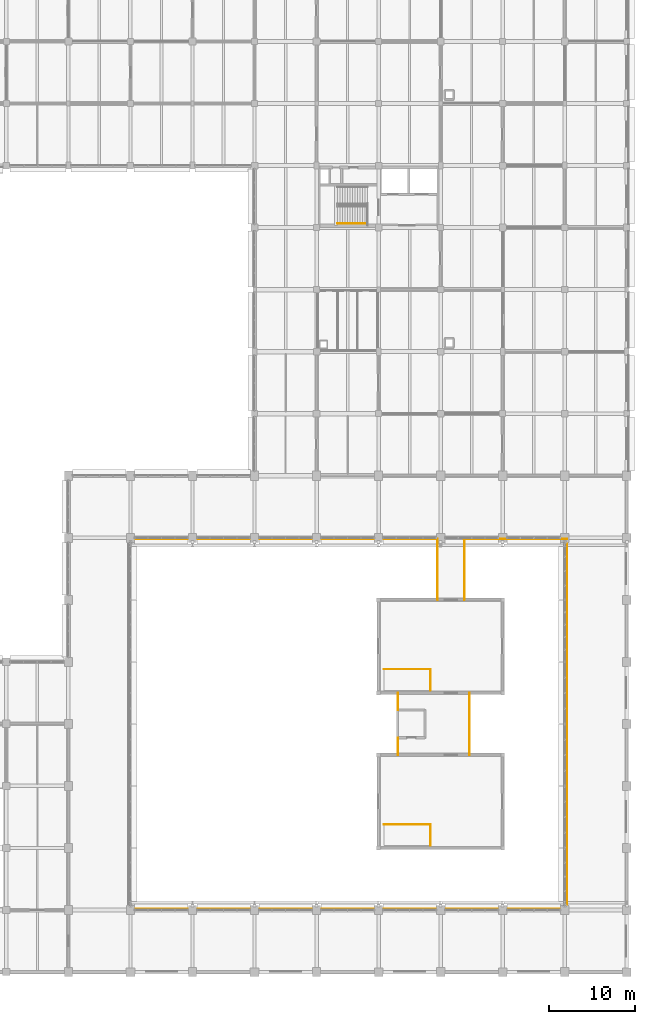
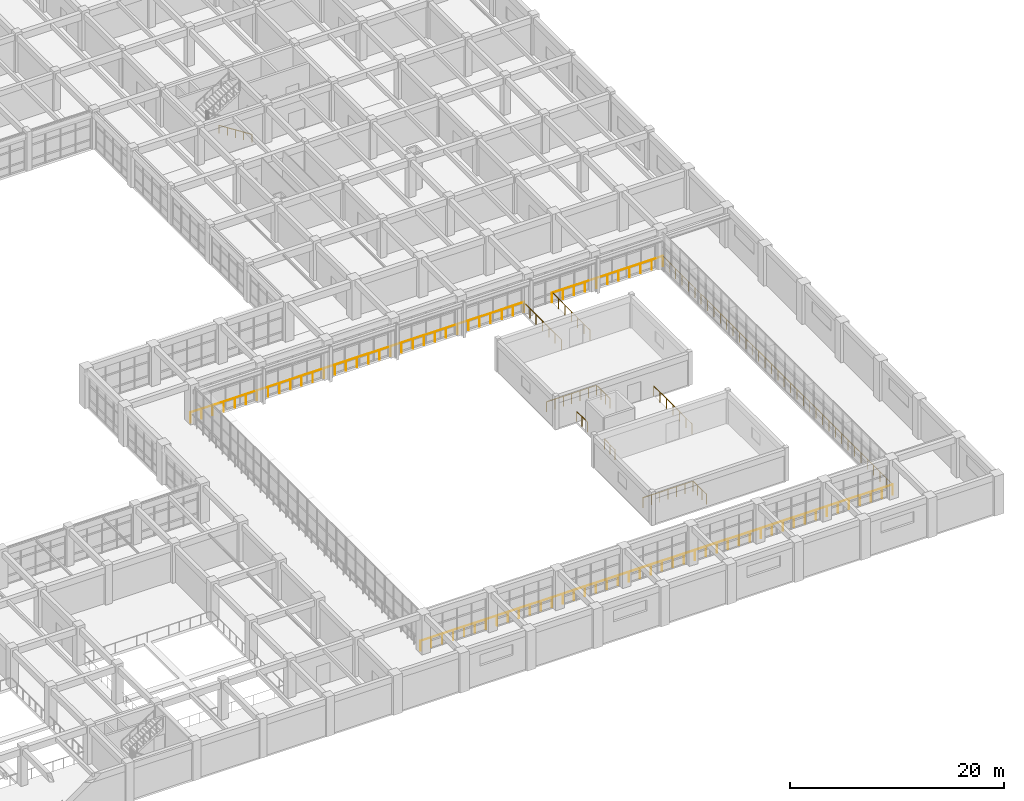
# One storey, part 170 of 171: 12 railings.
"""IFC4 building model written with IfcOpenShell, lengths in metres."""

from ifc_helpers import new_model, si_unit, direction, frame, origin, origin_2d, place, context, subcontext, project, spatial, circle, extrude, material, type_object, element, save


model = new_model("IFC4")

# Units and contexts
model_context = context("Model", 3, precision=1e-05, world=origin(), true_north=direction((0.0, 1.0)))
body_context = subcontext(model_context, "Body", "Model", "MODEL_VIEW")
ifc_project = project(units=[si_unit("LENGTHUNIT", "METRE"), si_unit("AREAUNIT", "SQUARE_METRE"), si_unit("VOLUMEUNIT", "CUBIC_METRE"), si_unit("PLANEANGLEUNIT", "RADIAN"), si_unit("MASSUNIT", "GRAM", prefix="KILO")], contexts=[model_context])

# Site, building, storey
site_placement = place(None, origin())
site = spatial("IfcSite", under=ifc_project, at=site_placement, CompositionType="ELEMENT")
building_placement = place(site_placement, origin())
building = spatial("IfcBuilding", under=site, at=building_placement, Name="Thalmaran Polytechnic", CompositionType="ELEMENT")
storey_placement = place(building_placement, frame((0.0, 0.0, 5.39990234375)))
storey = spatial("IfcBuildingStorey", under=building, at=storey_placement, Name="L01", CompositionType="ELEMENT", Elevation=5.39990234375)

# Railings
ifc_material = material(Name="Stainless steel 316", Category="steel")
railing_type_1 = type_object("IfcRailingType", Name="RL-GR01", PredefinedType="GUARDRAIL", material=ifc_material)
for number, where, name in (
    (1, (144.60009765625, 17.139892578125, 0.0), "POD2 Mezzanine Opening Guard"),
    (2, (144.60009765625, 35.139892578125, 0.0), "POD4 Mezzanine Opening Guard"),
):
    element("IfcRailing", number, at=place(storey_placement, frame(where)), inside=storey, type_object=railing_type_1, Name=name, PredefinedType="GUARDRAIL", context=body_context, shape_type="SweptSolid", body=[
        extrude(circle(Radius=0.02392578125, at=origin_2d()), frame((0.0, 0.0, 1.1259765625), z_axis=(1.0, 0.0, 0.0), x_axis=(0.0, 1.0, 0.0)), (0.0, 0.0, 1.0), 5.39990234375),
        extrude(circle(Radius=0.02392578125, at=origin_2d()), frame((5.39990234375, 0.0, 1.1259765625), z_axis=(0.0, -1.0, 0.0), x_axis=(1.0, 0.0, 0.0)), (0.0, 0.0, 1.0), 2.4599609375),
        extrude(circle(Radius=0.02099609375, at=origin_2d()), origin(), (0.0, 0.0, 1.0), 1.101806640625),
        extrude(circle(Radius=0.02099609375, at=origin_2d()), frame((0.89990234375, 0.0, 0.0)), (0.0, 0.0, 1.0), 1.101806640625),
        extrude(circle(Radius=0.02099609375, at=origin_2d()), frame((1.800048828125, 0.0, 0.0)), (0.0, 0.0, 1.0), 1.101806640625),
        extrude(circle(Radius=0.02099609375, at=origin_2d()), frame((2.699951171875, 0.0, 0.0)), (0.0, 0.0, 1.0), 1.101806640625),
        extrude(circle(Radius=0.02099609375, at=origin_2d()), frame((3.599853515625, 0.0, 0.0)), (0.0, 0.0, 1.0), 1.101806640625),
        extrude(circle(Radius=0.02099609375, at=origin_2d()), frame((4.5, 0.0, 0.0)), (0.0, 0.0, 1.0), 1.101806640625),
        extrude(circle(Radius=0.02099609375, at=origin_2d()), frame((5.39990234375, 0.0, 0.0)), (0.0, 0.0, 1.0), 1.101806640625),
        extrude(circle(Radius=0.02099609375, at=origin_2d()), frame((5.39990234375, -0.820068359375, 0.0)), (0.0, 0.0, 1.0), 1.101806640625),
        extrude(circle(Radius=0.02099609375, at=origin_2d()), frame((5.39990234375, -1.639892578125, 0.0)), (0.0, 0.0, 1.0), 1.101806640625),
        extrude(circle(Radius=0.02099609375, at=origin_2d()), frame((5.39990234375, -2.4599609375, 0.0)), (0.0, 0.0, 1.0), 1.101806640625),
    ])
railing_1_placement = place(storey_placement, frame((114.949951171875, 7.35009765625, 0.0)))
element("IfcRailing", 3, at=railing_1_placement, inside=storey, type_object=railing_type_1, Name="Workshop South Gallery Guardrail", PredefinedType="GUARDRAIL", context=body_context, shape_type="SweptSolid", body=[
    extrude(circle(Radius=0.02392578125, at=origin_2d()), frame((0.0, 0.0, 1.1259765625), z_axis=(1.0, 0.0, 0.0), x_axis=(0.0, 1.0, 0.0)), (0.0, 0.0, 1.0), 50.900146484375),
    extrude(circle(Radius=0.02099609375, at=origin_2d()), origin(), (0.0, 0.0, 1.0), 1.101806640625),
    extrude(circle(Radius=0.02099609375, at=origin_2d()), frame((1.183837890625, 0.0, 0.0)), (0.0, 0.0, 1.0), 1.101806640625),
    extrude(circle(Radius=0.02099609375, at=origin_2d()), frame((2.367431640625, 0.0, 0.0)), (0.0, 0.0, 1.0), 1.101806640625),
    extrude(circle(Radius=0.02099609375, at=origin_2d()), frame((3.55126953125, 0.0, 0.0)), (0.0, 0.0, 1.0), 1.101806640625),
    extrude(circle(Radius=0.02099609375, at=origin_2d()), frame((4.73486328125, 0.0, 0.0)), (0.0, 0.0, 1.0), 1.101806640625),
    extrude(circle(Radius=0.02099609375, at=origin_2d()), frame((5.918701171875, 0.0, 0.0)), (0.0, 0.0, 1.0), 1.101806640625),
    extrude(circle(Radius=0.02099609375, at=origin_2d()), frame((7.102294921875, 0.0, 0.0)), (0.0, 0.0, 1.0), 1.101806640625),
    extrude(circle(Radius=0.02099609375, at=origin_2d()), frame((8.2861328125, 0.0, 0.0)), (0.0, 0.0, 1.0), 1.101806640625),
    extrude(circle(Radius=0.02099609375, at=origin_2d()), frame((9.4697265625, 0.0, 0.0)), (0.0, 0.0, 1.0), 1.101806640625),
    extrude(circle(Radius=0.02099609375, at=origin_2d()), frame((10.653564453125, 0.0, 0.0)), (0.0, 0.0, 1.0), 1.101806640625),
    extrude(circle(Radius=0.02099609375, at=origin_2d()), frame((11.837158203125, 0.0, 0.0)), (0.0, 0.0, 1.0), 1.101806640625),
    extrude(circle(Radius=0.02099609375, at=origin_2d()), frame((13.02099609375, 0.0, 0.0)), (0.0, 0.0, 1.0), 1.101806640625),
    extrude(circle(Radius=0.02099609375, at=origin_2d()), frame((14.20458984375, 0.0, 0.0)), (0.0, 0.0, 1.0), 1.101806640625),
    extrude(circle(Radius=0.02099609375, at=origin_2d()), frame((15.388427734375, 0.0, 0.0)), (0.0, 0.0, 1.0), 1.101806640625),
    extrude(circle(Radius=0.02099609375, at=origin_2d()), frame((16.572021484375, 0.0, 0.0)), (0.0, 0.0, 1.0), 1.101806640625),
    extrude(circle(Radius=0.02099609375, at=origin_2d()), frame((17.755859375, 0.0, 0.0)), (0.0, 0.0, 1.0), 1.101806640625),
    extrude(circle(Radius=0.02099609375, at=origin_2d()), frame((18.939697265625, 0.0, 0.0)), (0.0, 0.0, 1.0), 1.101806640625),
    extrude(circle(Radius=0.02099609375, at=origin_2d()), frame((20.123291015625, 0.0, 0.0)), (0.0, 0.0, 1.0), 1.101806640625),
    extrude(circle(Radius=0.02099609375, at=origin_2d()), frame((21.30712890625, 0.0, 0.0)), (0.0, 0.0, 1.0), 1.101806640625),
    extrude(circle(Radius=0.02099609375, at=origin_2d()), frame((22.49072265625, 0.0, 0.0)), (0.0, 0.0, 1.0), 1.101806640625),
    extrude(circle(Radius=0.02099609375, at=origin_2d()), frame((23.674560546875, 0.0, 0.0)), (0.0, 0.0, 1.0), 1.101806640625),
    extrude(circle(Radius=0.02099609375, at=origin_2d()), frame((24.858154296875, 0.0, 0.0)), (0.0, 0.0, 1.0), 1.101806640625),
    extrude(circle(Radius=0.02099609375, at=origin_2d()), frame((26.0419921875, 0.0, 0.0)), (0.0, 0.0, 1.0), 1.101806640625),
    extrude(circle(Radius=0.02099609375, at=origin_2d()), frame((27.2255859375, 0.0, 0.0)), (0.0, 0.0, 1.0), 1.101806640625),
    extrude(circle(Radius=0.02099609375, at=origin_2d()), frame((28.409423828125, 0.0, 0.0)), (0.0, 0.0, 1.0), 1.101806640625),
    extrude(circle(Radius=0.02099609375, at=origin_2d()), frame((29.593017578125, 0.0, 0.0)), (0.0, 0.0, 1.0), 1.101806640625),
    extrude(circle(Radius=0.02099609375, at=origin_2d()), frame((30.77685546875, 0.0, 0.0)), (0.0, 0.0, 1.0), 1.101806640625),
    extrude(circle(Radius=0.02099609375, at=origin_2d()), frame((31.96044921875, 0.0, 0.0)), (0.0, 0.0, 1.0), 1.101806640625),
    extrude(circle(Radius=0.02099609375, at=origin_2d()), frame((33.144287109375, 0.0, 0.0)), (0.0, 0.0, 1.0), 1.101806640625),
    extrude(circle(Radius=0.02099609375, at=origin_2d()), frame((34.328125, 0.0, 0.0)), (0.0, 0.0, 1.0), 1.101806640625),
    extrude(circle(Radius=0.02099609375, at=origin_2d()), frame((35.51171875, 0.0, 0.0)), (0.0, 0.0, 1.0), 1.101806640625),
    extrude(circle(Radius=0.02099609375, at=origin_2d()), frame((36.695556640625, 0.0, 0.0)), (0.0, 0.0, 1.0), 1.101806640625),
    extrude(circle(Radius=0.02099609375, at=origin_2d()), frame((37.879150390625, 0.0, 0.0)), (0.0, 0.0, 1.0), 1.101806640625),
    extrude(circle(Radius=0.02099609375, at=origin_2d()), frame((39.06298828125, 0.0, 0.0)), (0.0, 0.0, 1.0), 1.101806640625),
    extrude(circle(Radius=0.02099609375, at=origin_2d()), frame((40.24658203125, 0.0, 0.0)), (0.0, 0.0, 1.0), 1.101806640625),
    extrude(circle(Radius=0.02099609375, at=origin_2d()), frame((41.430419921875, 0.0, 0.0)), (0.0, 0.0, 1.0), 1.101806640625),
    extrude(circle(Radius=0.02099609375, at=origin_2d()), frame((42.614013671875, 0.0, 0.0)), (0.0, 0.0, 1.0), 1.101806640625),
    extrude(circle(Radius=0.02099609375, at=origin_2d()), frame((43.7978515625, 0.0, 0.0)), (0.0, 0.0, 1.0), 1.101806640625),
    extrude(circle(Radius=0.02099609375, at=origin_2d()), frame((44.9814453125, 0.0, 0.0)), (0.0, 0.0, 1.0), 1.101806640625),
    extrude(circle(Radius=0.02099609375, at=origin_2d()), frame((46.165283203125, 0.0, 0.0)), (0.0, 0.0, 1.0), 1.101806640625),
    extrude(circle(Radius=0.02099609375, at=origin_2d()), frame((47.348876953125, 0.0, 0.0)), (0.0, 0.0, 1.0), 1.101806640625),
    extrude(circle(Radius=0.02099609375, at=origin_2d()), frame((48.53271484375, 0.0, 0.0)), (0.0, 0.0, 1.0), 1.101806640625),
    extrude(circle(Radius=0.02099609375, at=origin_2d()), frame((49.71630859375, 0.0, 0.0)), (0.0, 0.0, 1.0), 1.101806640625),
    extrude(circle(Radius=0.02099609375, at=origin_2d()), frame((50.900146484375, 0.0, 0.0)), (0.0, 0.0, 1.0), 1.101806640625),
])
railing_2_placement = place(storey_placement, frame((165.85009765625, 7.35009765625, 0.0)))
element("IfcRailing", 4, at=railing_2_placement, inside=storey, type_object=railing_type_1, Name="Workshop East Gallery Guardrail", PredefinedType="GUARDRAIL", context=body_context, shape_type="SweptSolid", body=[
    extrude(circle(Radius=0.02392578125, at=origin_2d()), frame((0.0, 0.0, 1.1259765625), z_axis=(0.0, 1.0, 0.0), x_axis=(-1.0, 0.0, 0.0)), (0.0, 0.0, 1.0), 42.89990234375),
    extrude(circle(Radius=0.02099609375, at=origin_2d()), origin(), (0.0, 0.0, 1.0), 1.101806640625),
    extrude(circle(Radius=0.02099609375, at=origin_2d()), frame((0.0, 1.191650390625, 0.0)), (0.0, 0.0, 1.0), 1.101806640625),
    extrude(circle(Radius=0.02099609375, at=origin_2d()), frame((0.0, 2.38330078125, 0.0)), (0.0, 0.0, 1.0), 1.101806640625),
    extrude(circle(Radius=0.02099609375, at=origin_2d()), frame((0.0, 3.574951171875, 0.0)), (0.0, 0.0, 1.0), 1.101806640625),
    extrude(circle(Radius=0.02099609375, at=origin_2d()), frame((0.0, 4.7666015625, 0.0)), (0.0, 0.0, 1.0), 1.101806640625),
    extrude(circle(Radius=0.02099609375, at=origin_2d()), frame((0.0, 5.958251953125, 0.0)), (0.0, 0.0, 1.0), 1.101806640625),
    extrude(circle(Radius=0.02099609375, at=origin_2d()), frame((0.0, 7.14990234375, 0.0)), (0.0, 0.0, 1.0), 1.101806640625),
    extrude(circle(Radius=0.02099609375, at=origin_2d()), frame((0.0, 8.341552734375, 0.0)), (0.0, 0.0, 1.0), 1.101806640625),
    extrude(circle(Radius=0.02099609375, at=origin_2d()), frame((0.0, 9.533203125, 0.0)), (0.0, 0.0, 1.0), 1.101806640625),
    extrude(circle(Radius=0.02099609375, at=origin_2d()), frame((0.0, 10.72509765625, 0.0)), (0.0, 0.0, 1.0), 1.101806640625),
    extrude(circle(Radius=0.02099609375, at=origin_2d()), frame((0.0, 11.916748046875, 0.0)), (0.0, 0.0, 1.0), 1.101806640625),
    extrude(circle(Radius=0.02099609375, at=origin_2d()), frame((0.0, 13.1083984375, 0.0)), (0.0, 0.0, 1.0), 1.101806640625),
    extrude(circle(Radius=0.02099609375, at=origin_2d()), frame((0.0, 14.300048828125, 0.0)), (0.0, 0.0, 1.0), 1.101806640625),
    extrude(circle(Radius=0.02099609375, at=origin_2d()), frame((0.0, 15.49169921875, 0.0)), (0.0, 0.0, 1.0), 1.101806640625),
    extrude(circle(Radius=0.02099609375, at=origin_2d()), frame((0.0, 16.683349609375, 0.0)), (0.0, 0.0, 1.0), 1.101806640625),
    extrude(circle(Radius=0.02099609375, at=origin_2d()), frame((0.0, 17.875, 0.0)), (0.0, 0.0, 1.0), 1.101806640625),
    extrude(circle(Radius=0.02099609375, at=origin_2d()), frame((0.0, 19.066650390625, 0.0)), (0.0, 0.0, 1.0), 1.101806640625),
    extrude(circle(Radius=0.02099609375, at=origin_2d()), frame((0.0, 20.25830078125, 0.0)), (0.0, 0.0, 1.0), 1.101806640625),
    extrude(circle(Radius=0.02099609375, at=origin_2d()), frame((0.0, 21.449951171875, 0.0)), (0.0, 0.0, 1.0), 1.101806640625),
    extrude(circle(Radius=0.02099609375, at=origin_2d()), frame((0.0, 22.6416015625, 0.0)), (0.0, 0.0, 1.0), 1.101806640625),
    extrude(circle(Radius=0.02099609375, at=origin_2d()), frame((0.0, 23.833251953125, 0.0)), (0.0, 0.0, 1.0), 1.101806640625),
    extrude(circle(Radius=0.02099609375, at=origin_2d()), frame((0.0, 25.02490234375, 0.0)), (0.0, 0.0, 1.0), 1.101806640625),
    extrude(circle(Radius=0.02099609375, at=origin_2d()), frame((0.0, 26.216552734375, 0.0)), (0.0, 0.0, 1.0), 1.101806640625),
    extrude(circle(Radius=0.02099609375, at=origin_2d()), frame((0.0, 27.408203125, 0.0)), (0.0, 0.0, 1.0), 1.101806640625),
    extrude(circle(Radius=0.02099609375, at=origin_2d()), frame((0.0, 28.599853515625, 0.0)), (0.0, 0.0, 1.0), 1.101806640625),
    extrude(circle(Radius=0.02099609375, at=origin_2d()), frame((0.0, 29.79150390625, 0.0)), (0.0, 0.0, 1.0), 1.101806640625),
    extrude(circle(Radius=0.02099609375, at=origin_2d()), frame((0.0, 30.983154296875, 0.0)), (0.0, 0.0, 1.0), 1.101806640625),
    extrude(circle(Radius=0.02099609375, at=origin_2d()), frame((0.0, 32.1748046875, 0.0)), (0.0, 0.0, 1.0), 1.101806640625),
    extrude(circle(Radius=0.02099609375, at=origin_2d()), frame((0.0, 33.36669921875, 0.0)), (0.0, 0.0, 1.0), 1.101806640625),
    extrude(circle(Radius=0.02099609375, at=origin_2d()), frame((0.0, 34.558349609375, 0.0)), (0.0, 0.0, 1.0), 1.101806640625),
    extrude(circle(Radius=0.02099609375, at=origin_2d()), frame((0.0, 35.75, 0.0)), (0.0, 0.0, 1.0), 1.101806640625),
    extrude(circle(Radius=0.02099609375, at=origin_2d()), frame((0.0, 36.941650390625, 0.0)), (0.0, 0.0, 1.0), 1.101806640625),
    extrude(circle(Radius=0.02099609375, at=origin_2d()), frame((0.0, 38.13330078125, 0.0)), (0.0, 0.0, 1.0), 1.101806640625),
    extrude(circle(Radius=0.02099609375, at=origin_2d()), frame((0.0, 39.324951171875, 0.0)), (0.0, 0.0, 1.0), 1.101806640625),
    extrude(circle(Radius=0.02099609375, at=origin_2d()), frame((0.0, 40.5166015625, 0.0)), (0.0, 0.0, 1.0), 1.101806640625),
    extrude(circle(Radius=0.02099609375, at=origin_2d()), frame((0.0, 41.708251953125, 0.0)), (0.0, 0.0, 1.0), 1.101806640625),
    extrude(circle(Radius=0.02099609375, at=origin_2d()), frame((0.0, 42.89990234375, 0.0)), (0.0, 0.0, 1.0), 1.101806640625),
])
railing_3_placement = place(storey_placement, frame((114.949951171875, 50.25, 0.0)))
element("IfcRailing", 5, at=railing_3_placement, inside=storey, type_object=railing_type_1, Name="Workshop North Gallery Guardrail West", PredefinedType="GUARDRAIL", context=body_context, shape_type="SweptSolid", body=[
    extrude(circle(Radius=0.02392578125, at=origin_2d()), frame((0.0, 0.0, 1.1259765625), z_axis=(1.0, 0.0, 0.0), x_axis=(0.0, 1.0, 0.0)), (0.0, 0.0, 1.0), 35.949951171875),
    extrude(circle(Radius=0.02099609375, at=origin_2d()), origin(), (0.0, 0.0, 1.0), 1.101806640625),
    extrude(circle(Radius=0.02099609375, at=origin_2d()), frame((1.1982421875, 0.0, 0.0)), (0.0, 0.0, 1.0), 1.101806640625),
    extrude(circle(Radius=0.02099609375, at=origin_2d()), frame((2.396728515625, 0.0, 0.0)), (0.0, 0.0, 1.0), 1.101806640625),
    extrude(circle(Radius=0.02099609375, at=origin_2d()), frame((3.594970703125, 0.0, 0.0)), (0.0, 0.0, 1.0), 1.101806640625),
    extrude(circle(Radius=0.02099609375, at=origin_2d()), frame((4.793212890625, 0.0, 0.0)), (0.0, 0.0, 1.0), 1.101806640625),
    extrude(circle(Radius=0.02099609375, at=origin_2d()), frame((5.99169921875, 0.0, 0.0)), (0.0, 0.0, 1.0), 1.101806640625),
    extrude(circle(Radius=0.02099609375, at=origin_2d()), frame((7.18994140625, 0.0, 0.0)), (0.0, 0.0, 1.0), 1.101806640625),
    extrude(circle(Radius=0.02099609375, at=origin_2d()), frame((8.388427734375, 0.0, 0.0)), (0.0, 0.0, 1.0), 1.101806640625),
    extrude(circle(Radius=0.02099609375, at=origin_2d()), frame((9.586669921875, 0.0, 0.0)), (0.0, 0.0, 1.0), 1.101806640625),
    extrude(circle(Radius=0.02099609375, at=origin_2d()), frame((10.784912109375, 0.0, 0.0)), (0.0, 0.0, 1.0), 1.101806640625),
    extrude(circle(Radius=0.02099609375, at=origin_2d()), frame((11.9833984375, 0.0, 0.0)), (0.0, 0.0, 1.0), 1.101806640625),
    extrude(circle(Radius=0.02099609375, at=origin_2d()), frame((13.181640625, 0.0, 0.0)), (0.0, 0.0, 1.0), 1.101806640625),
    extrude(circle(Radius=0.02099609375, at=origin_2d()), frame((14.3798828125, 0.0, 0.0)), (0.0, 0.0, 1.0), 1.101806640625),
    extrude(circle(Radius=0.02099609375, at=origin_2d()), frame((15.578369140625, 0.0, 0.0)), (0.0, 0.0, 1.0), 1.101806640625),
    extrude(circle(Radius=0.02099609375, at=origin_2d()), frame((16.776611328125, 0.0, 0.0)), (0.0, 0.0, 1.0), 1.101806640625),
    extrude(circle(Radius=0.02099609375, at=origin_2d()), frame((17.97509765625, 0.0, 0.0)), (0.0, 0.0, 1.0), 1.101806640625),
    extrude(circle(Radius=0.02099609375, at=origin_2d()), frame((19.17333984375, 0.0, 0.0)), (0.0, 0.0, 1.0), 1.101806640625),
    extrude(circle(Radius=0.02099609375, at=origin_2d()), frame((20.37158203125, 0.0, 0.0)), (0.0, 0.0, 1.0), 1.101806640625),
    extrude(circle(Radius=0.02099609375, at=origin_2d()), frame((21.570068359375, 0.0, 0.0)), (0.0, 0.0, 1.0), 1.101806640625),
    extrude(circle(Radius=0.02099609375, at=origin_2d()), frame((22.768310546875, 0.0, 0.0)), (0.0, 0.0, 1.0), 1.101806640625),
    extrude(circle(Radius=0.02099609375, at=origin_2d()), frame((23.966552734375, 0.0, 0.0)), (0.0, 0.0, 1.0), 1.101806640625),
    extrude(circle(Radius=0.02099609375, at=origin_2d()), frame((25.1650390625, 0.0, 0.0)), (0.0, 0.0, 1.0), 1.101806640625),
    extrude(circle(Radius=0.02099609375, at=origin_2d()), frame((26.36328125, 0.0, 0.0)), (0.0, 0.0, 1.0), 1.101806640625),
    extrude(circle(Radius=0.02099609375, at=origin_2d()), frame((27.5615234375, 0.0, 0.0)), (0.0, 0.0, 1.0), 1.101806640625),
    extrude(circle(Radius=0.02099609375, at=origin_2d()), frame((28.760009765625, 0.0, 0.0)), (0.0, 0.0, 1.0), 1.101806640625),
    extrude(circle(Radius=0.02099609375, at=origin_2d()), frame((29.958251953125, 0.0, 0.0)), (0.0, 0.0, 1.0), 1.101806640625),
    extrude(circle(Radius=0.02099609375, at=origin_2d()), frame((31.15673828125, 0.0, 0.0)), (0.0, 0.0, 1.0), 1.101806640625),
    extrude(circle(Radius=0.02099609375, at=origin_2d()), frame((32.35498046875, 0.0, 0.0)), (0.0, 0.0, 1.0), 1.101806640625),
    extrude(circle(Radius=0.02099609375, at=origin_2d()), frame((33.55322265625, 0.0, 0.0)), (0.0, 0.0, 1.0), 1.101806640625),
    extrude(circle(Radius=0.02099609375, at=origin_2d()), frame((34.751708984375, 0.0, 0.0)), (0.0, 0.0, 1.0), 1.101806640625),
    extrude(circle(Radius=0.02099609375, at=origin_2d()), frame((35.949951171875, 0.0, 0.0)), (0.0, 0.0, 1.0), 1.101806640625),
])
railing_4_placement = place(storey_placement, frame((153.89990234375, 50.25, 0.0)))
element("IfcRailing", 6, at=railing_4_placement, inside=storey, type_object=railing_type_1, Name="Workshop North Gallery Guardrail East", PredefinedType="GUARDRAIL", context=body_context, shape_type="SweptSolid", body=[
    extrude(circle(Radius=0.02392578125, at=origin_2d()), frame((0.0, 0.0, 1.1259765625), z_axis=(1.0, 0.0, 0.0), x_axis=(0.0, 1.0, 0.0)), (0.0, 0.0, 1.0), 11.9501953125),
    extrude(circle(Radius=0.02099609375, at=origin_2d()), origin(), (0.0, 0.0, 1.0), 1.101806640625),
    extrude(circle(Radius=0.02099609375, at=origin_2d()), frame((1.195068359375, 0.0, 0.0)), (0.0, 0.0, 1.0), 1.101806640625),
    extrude(circle(Radius=0.02099609375, at=origin_2d()), frame((2.39013671875, 0.0, 0.0)), (0.0, 0.0, 1.0), 1.101806640625),
    extrude(circle(Radius=0.02099609375, at=origin_2d()), frame((3.5849609375, 0.0, 0.0)), (0.0, 0.0, 1.0), 1.101806640625),
    extrude(circle(Radius=0.02099609375, at=origin_2d()), frame((4.780029296875, 0.0, 0.0)), (0.0, 0.0, 1.0), 1.101806640625),
    extrude(circle(Radius=0.02099609375, at=origin_2d()), frame((5.97509765625, 0.0, 0.0)), (0.0, 0.0, 1.0), 1.101806640625),
    extrude(circle(Radius=0.02099609375, at=origin_2d()), frame((7.170166015625, 0.0, 0.0)), (0.0, 0.0, 1.0), 1.101806640625),
    extrude(circle(Radius=0.02099609375, at=origin_2d()), frame((8.365234375, 0.0, 0.0)), (0.0, 0.0, 1.0), 1.101806640625),
    extrude(circle(Radius=0.02099609375, at=origin_2d()), frame((9.56005859375, 0.0, 0.0)), (0.0, 0.0, 1.0), 1.101806640625),
    extrude(circle(Radius=0.02099609375, at=origin_2d()), frame((10.755126953125, 0.0, 0.0)), (0.0, 0.0, 1.0), 1.101806640625),
    extrude(circle(Radius=0.02099609375, at=origin_2d()), frame((11.9501953125, 0.0, 0.0)), (0.0, 0.0, 1.0), 1.101806640625),
])
for number, where, name in (
    (7, (146.25, 25.199951171875, 0.0), "Pod Bridge Balustrade BR1W1"),
    (8, (146.25, 30.39990234375, 0.0), "Pod Bridge Balustrade BR1W2"),
):
    element("IfcRailing", number, at=place(storey_placement, frame(where)), inside=storey, type_object=railing_type_1, Name=name, PredefinedType="GUARDRAIL", context=body_context, shape_type="SweptSolid", body=[
        extrude(circle(Radius=0.02392578125, at=origin_2d()), frame((0.0, 0.0, 1.1259765625), z_axis=(0.0, 1.0, 0.0), x_axis=(-1.0, 0.0, 0.0)), (0.0, 0.0, 1.0), 2.0),
        extrude(circle(Radius=0.02099609375, at=origin_2d()), origin(), (0.0, 0.0, 1.0), 1.101806640625),
        extrude(circle(Radius=0.02099609375, at=origin_2d()), frame((0.0, 1.0, 0.0)), (0.0, 0.0, 1.0), 1.101806640625),
        extrude(circle(Radius=0.02099609375, at=origin_2d()), frame((0.0, 2.0, 0.0)), (0.0, 0.0, 1.0), 1.101806640625),
    ])
railing_5_placement = place(storey_placement, frame((154.550048828125, 25.199951171875, 0.0)))
element("IfcRailing", 9, at=railing_5_placement, inside=storey, type_object=railing_type_1, Name="Pod Bridge Balustrade BR1E", PredefinedType="GUARDRAIL", context=body_context, shape_type="SweptSolid", body=[
    extrude(circle(Radius=0.02392578125, at=origin_2d()), frame((0.0, 0.0, 1.1259765625), z_axis=(0.0, 1.0, 0.0), x_axis=(-1.0, 0.0, 0.0)), (0.0, 0.0, 1.0), 7.199951171875),
    extrude(circle(Radius=0.02099609375, at=origin_2d()), origin(), (0.0, 0.0, 1.0), 1.101806640625),
    extrude(circle(Radius=0.02099609375, at=origin_2d()), frame((0.0, 1.199951171875, 0.0)), (0.0, 0.0, 1.0), 1.101806640625),
    extrude(circle(Radius=0.02099609375, at=origin_2d()), frame((0.0, 2.39990234375, 0.0)), (0.0, 0.0, 1.0), 1.101806640625),
    extrude(circle(Radius=0.02099609375, at=origin_2d()), frame((0.0, 3.60009765625, 0.0)), (0.0, 0.0, 1.0), 1.101806640625),
    extrude(circle(Radius=0.02099609375, at=origin_2d()), frame((0.0, 4.800048828125, 0.0)), (0.0, 0.0, 1.0), 1.101806640625),
    extrude(circle(Radius=0.02099609375, at=origin_2d()), frame((0.0, 6.0, 0.0)), (0.0, 0.0, 1.0), 1.101806640625),
    extrude(circle(Radius=0.02099609375, at=origin_2d()), frame((0.0, 7.199951171875, 0.0)), (0.0, 0.0, 1.0), 1.101806640625),
])
for number, where, name in (
    (10, (150.85009765625, 43.199951171875, 0.0), "Pod Bridge Balustrade BR2W"),
    (11, (153.949951171875, 43.199951171875, 0.0), "Pod Bridge Balustrade BR2E"),
):
    element("IfcRailing", number, at=place(storey_placement, frame(where)), inside=storey, type_object=railing_type_1, Name=name, PredefinedType="GUARDRAIL", context=body_context, shape_type="SweptSolid", body=[
        extrude(circle(Radius=0.02392578125, at=origin_2d()), frame((0.0, 0.0, 1.1259765625), z_axis=(0.0, 1.0, 0.0), x_axis=(-1.0, 0.0, 0.0)), (0.0, 0.0, 1.0), 7.050048828125),
        extrude(circle(Radius=0.02099609375, at=origin_2d()), origin(), (0.0, 0.0, 1.0), 1.101806640625),
        extrude(circle(Radius=0.02099609375, at=origin_2d()), frame((0.0, 1.175048828125, 0.0)), (0.0, 0.0, 1.0), 1.101806640625),
        extrude(circle(Radius=0.02099609375, at=origin_2d()), frame((0.0, 2.35009765625, 0.0)), (0.0, 0.0, 1.0), 1.101806640625),
        extrude(circle(Radius=0.02099609375, at=origin_2d()), frame((0.0, 3.52490234375, 0.0)), (0.0, 0.0, 1.0), 1.101806640625),
        extrude(circle(Radius=0.02099609375, at=origin_2d()), frame((0.0, 4.699951171875, 0.0)), (0.0, 0.0, 1.0), 1.101806640625),
        extrude(circle(Radius=0.02099609375, at=origin_2d()), frame((0.0, 5.875, 0.0)), (0.0, 0.0, 1.0), 1.101806640625),
        extrude(circle(Radius=0.02099609375, at=origin_2d()), frame((0.0, 7.050048828125, 0.0)), (0.0, 0.0, 1.0), 1.101806640625),
    ])
railing_type_2 = type_object("IfcRailingType", Name="RL-HR01", PredefinedType="HANDRAIL", material=ifc_material)
railing_6_placement = place(storey_placement, frame((142.719970703125, 86.8798828125, 0.0)))
element("IfcRailing", 12, at=railing_6_placement, inside=storey, type_object=railing_type_2, Name="ST5 L01 Flight 1 Handrail", PredefinedType="HANDRAIL", context=body_context, shape_type="SweptSolid", body=[
    extrude(circle(Radius=0.02392578125, at=origin_2d()), frame((0.0, 0.0, 0.8759765625), z_axis=(-0.84257692701, 0.0, 0.53857601327), x_axis=(0.0, -1.0, 0.0)), (0.0, 0.0, 1.0), 4.177734375),
    extrude(circle(Radius=0.02099609375, at=origin_2d()), origin(), (0.0, 0.0, 1.0), 0.851806640625),
    extrude(circle(Radius=0.02099609375, at=origin_2d()), frame((-0.8798828125, 0.0, 0.5625)), (0.0, 0.0, 1.0), 0.851806640625),
    extrude(circle(Radius=0.02099609375, at=origin_2d()), frame((-1.760009765625, 0.0, 1.125)), (0.0, 0.0, 1.0), 0.851806640625),
    extrude(circle(Radius=0.02099609375, at=origin_2d()), frame((-2.64013671875, 0.0, 1.6875)), (0.0, 0.0, 1.0), 0.851806640625),
    extrude(circle(Radius=0.02099609375, at=origin_2d()), frame((-3.52001953125, 0.0, 2.25)), (0.0, 0.0, 1.0), 0.851806640625),
])

save(model, "model.ifc")
